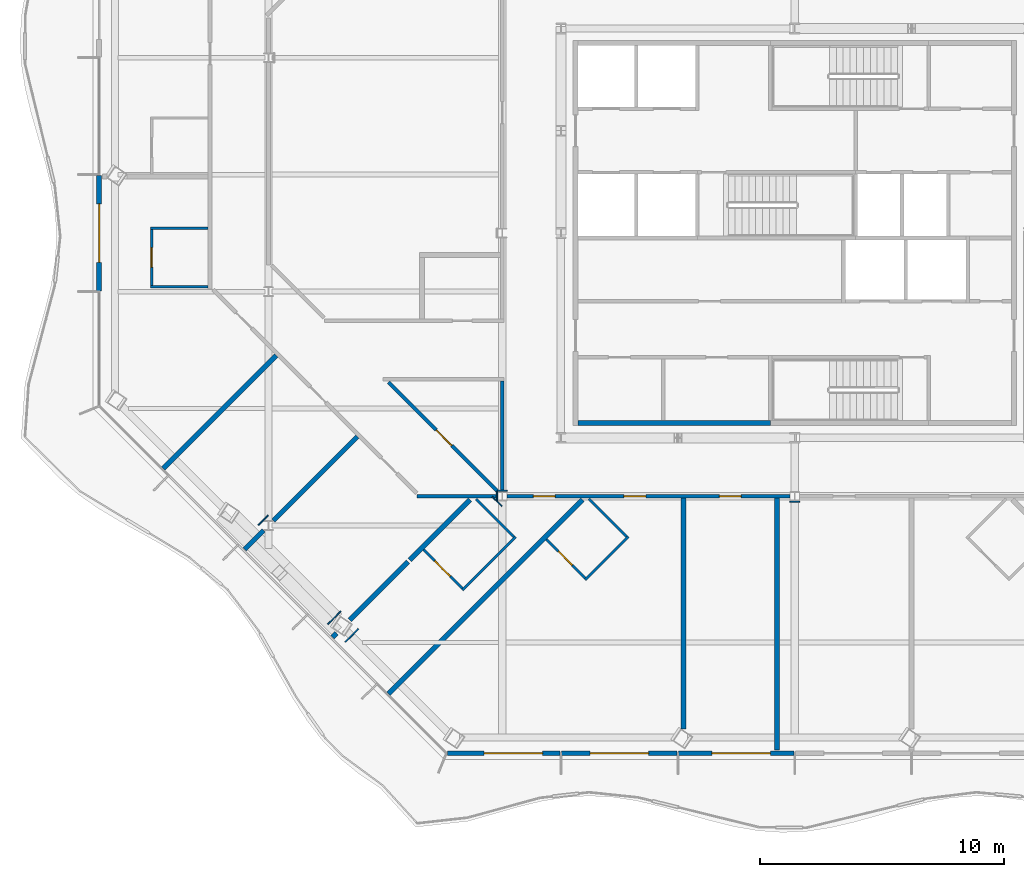
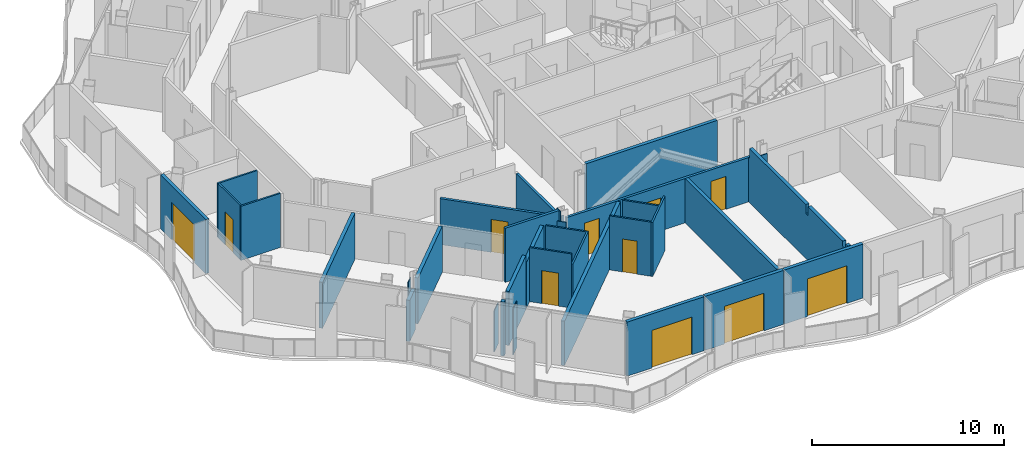
# One storey, part 7 of 21: 34 walls, 11 doors, 11 openings.
"""IFC4 building model written with IfcOpenShell, lengths in metres."""

import ifcopenshell
import ifcopenshell.guid

model = None  # the IFC model being written
_history = None  # IfcOwnerHistory: only IFC2X3 demands one
_inside = {}  # id of a spatial element -> (the spatial element, [elements in it])
_under = {}  # id of a project, library or spatial element -> (it, [spatial elements below it])
_declared = {}  # id of a project -> (the project, [libraries it declares])
_typed = {}  # id of a type object -> (the type object, [elements of that type])
_made_of = {}  # id of a material, layer set ... -> (it, [elements and type objects made of it])


def new_model(schema):
    """Start an empty IFC model of exactly this schema.

    Asked for "IFC4X3", IfcOpenShell would pick the latest addendum, in which some entities
    have other attributes; the version numbers below select the first issue.
    IFC2X3 requires an IfcOwnerHistory on every rooted entity: one is made here for all.
    """
    global model, _history
    if schema == "IFC4X3":
        model = ifcopenshell.file(schema_version=(4, 3, 0, 0))
    else:
        model = ifcopenshell.file(schema=schema)
    _inside.clear()
    _under.clear()
    _declared.clear()
    _typed.clear()
    _made_of.clear()
    _history = None
    if model.schema == "IFC2X3":
        org = make("IfcOrganization", Name="unknown")
        user = make(
            "IfcPersonAndOrganization",
            ThePerson=make("IfcPerson", FamilyName="unknown"),
            TheOrganization=org,
        )
        app = make(
            "IfcApplication",
            ApplicationDeveloper=org,
            Version="unknown",
            ApplicationFullName="unknown",
            ApplicationIdentifier="unknown",
        )
        _history = make(
            "IfcOwnerHistory",
            OwningUser=user,
            OwningApplication=app,
            ChangeAction="ADDED",
            CreationDate=0,
        )
    return model


def make(cls, **values):
    """One entity of the class cls with the attributes given. An attribute that is None is left unset."""
    return model.create_entity(
        cls, **{name: value for name, value in values.items() if value is not None}
    )


def rooted(cls, **values):
    """An entity with a GlobalId (a new one), such as an element, a storey or a relation."""
    return make(cls, GlobalId=ifcopenshell.guid.new(), OwnerHistory=_history, **values)


def si_unit(unit_type, name, prefix=None):
    """IfcSIUnit, for example si_unit("LENGTHUNIT", "METRE", prefix="MILLI")."""
    return make("IfcSIUnit", UnitType=unit_type, Prefix=prefix, Name=name)


def assignment(units):
    """IfcUnitAssignment: the units of a project."""
    return None if units is None else make("IfcUnitAssignment", Units=units)


def point(xyz):
    """IfcCartesianPoint."""
    return None if xyz is None else make("IfcCartesianPoint", Coordinates=xyz)


def direction(xyz):
    """IfcDirection."""
    return None if xyz is None else make("IfcDirection", DirectionRatios=xyz)


def frame(location, z_axis=None, x_axis=None):
    """IfcAxis2Placement3D, a coordinate frame: its origin and axes. An axis left out is left unset."""
    return make(
        "IfcAxis2Placement3D",
        Location=point(location),
        Axis=direction(z_axis),
        RefDirection=direction(x_axis),
    )


def frame_2d(location, x_axis=None):
    """IfcAxis2Placement2D, a coordinate frame in the plane: its origin and x axis."""
    return make(
        "IfcAxis2Placement2D", Location=point(location), RefDirection=direction(x_axis)
    )


def origin():
    """The frame at (0, 0, 0) with its axes left unset."""
    return frame((0.0, 0.0, 0.0))


def place(relative_to, where):
    """IfcLocalPlacement: puts the frame where relative to a parent placement (None: the world)."""
    return make(
        "IfcLocalPlacement", PlacementRelTo=relative_to, RelativePlacement=where
    )


def context(
    kind, dimensions, precision=None, world=None, true_north=None, identifier=None
):
    """IfcGeometricRepresentationContext, for example the 3D "Model" context."""
    return make(
        "IfcGeometricRepresentationContext",
        ContextIdentifier=identifier,
        ContextType=kind,
        CoordinateSpaceDimension=dimensions,
        Precision=precision,
        WorldCoordinateSystem=world,
        TrueNorth=true_north,
    )


def subcontext(parent, identifier, kind, view, scale=None):
    """IfcGeometricRepresentationSubContext, for example "Body" below "Model"."""
    return make(
        "IfcGeometricRepresentationSubContext",
        ContextIdentifier=identifier,
        ContextType=kind,
        ParentContext=parent,
        TargetScale=scale,
        TargetView=view,
    )


def project(units=None, contexts=None):
    """IfcProject with its units and contexts."""
    return rooted(
        "IfcProject",
        Name="project",
        RepresentationContexts=contexts,
        UnitsInContext=assignment(units),
    )


def spatial(cls, under=None, at=None, **own):
    """A site, building, storey or space (cls), placed at a placement, below another one or the project."""
    s = rooted(cls, ObjectPlacement=at, **own)
    if under is not None:
        _under.setdefault(under.id(), (under, []))[1].append(s)
    return s


def polyline(points):
    """IfcPolyline through the points."""
    return make("IfcPolyline", Points=[point(p) for p in points])


def profile(cls, at=None, kind="AREA", **sizes):
    """A parametric profile (cls). Its sizes go by their IFC names, for example OverallWidth=200.0."""
    return make(cls, ProfileType=kind, Position=at, **sizes)


def rectangle(**sizes):
    """IfcRectangleProfileDef."""
    return profile("IfcRectangleProfileDef", **sizes)


def outline(outer, holes=None, kind="AREA"):
    """IfcArbitraryClosedProfileDef: a profile drawn as a closed curve; with holes, ...WithVoids."""
    if holes is None:
        return make("IfcArbitraryClosedProfileDef", ProfileType=kind, OuterCurve=outer)
    return make(
        "IfcArbitraryProfileDefWithVoids",
        ProfileType=kind,
        OuterCurve=outer,
        InnerCurves=holes,
    )


def extrude(swept, where, along, depth):
    """IfcExtrudedAreaSolid: the profile swept, set in the frame where, extruded along a direction by depth."""
    return make(
        "IfcExtrudedAreaSolid",
        SweptArea=swept,
        Position=where,
        ExtrudedDirection=direction(along),
        Depth=depth,
    )


def shape(context_of_items, identifier, shape_type, items):
    """IfcShapeRepresentation: the items that make up one representation, for example the "Body"."""
    return make(
        "IfcShapeRepresentation",
        ContextOfItems=context_of_items,
        RepresentationIdentifier=identifier,
        RepresentationType=shape_type,
        Items=items,
    )


def material(Name=None, Category=None):
    """IfcMaterial."""
    return make("IfcMaterial", Name=Name, Category=Category)


def layer(
    of_material, thickness, ventilated=None, Name=None, Category=None, Priority=None
):
    """IfcMaterialLayer: one layer of a wall or slab, of a material (None: an air gap)."""
    return make(
        "IfcMaterialLayer",
        Material=of_material,
        LayerThickness=thickness,
        IsVentilated=ventilated,
        Name=Name,
        Category=Category,
        Priority=Priority,
    )


def layer_set(layers, Name=None):
    """IfcMaterialLayerSet."""
    return make("IfcMaterialLayerSet", MaterialLayers=layers, LayerSetName=Name)


def made_of(thing, what):
    """Note that an element or type object is made of a material, layer set ...; save() writes the relation."""
    if what is not None:
        _made_of.setdefault(what.id(), (what, []))[1].append(thing)
    return thing


def type_object(cls, material=None, **own):
    """A type object (cls), such as IfcWallType, which elements share."""
    return made_of(rooted(cls, **own), material)


def element(
    cls,
    number,
    at=None,
    inside=None,
    cuts=None,
    type_object=None,
    material=None,
    context=None,
    identifier="Body",
    shape_type=None,
    held_by="IfcProductDefinitionShape",
    body=None,
    shapes=None,
    **own,
):
    """One element of the class cls, such as IfcWall. Its Tag is "e" and its number.

    at: its placement. inside: the storey or other place that contains it. cuts: it is an
    opening in that element (IfcRelVoidsElement). A single representation is given by context,
    identifier, shape_type and body (its items); several are given by shapes. held_by: the class
    of the entity that holds the representations. save() writes the other relations.
    """
    e = rooted(cls, Tag="e%d" % number, ObjectPlacement=at, **own)
    if body is not None:
        shapes = [shape(context, identifier, shape_type, body)]
    if shapes is not None:
        e.Representation = make(held_by, Representations=shapes)
    if inside is not None:
        _inside.setdefault(inside.id(), (inside, []))[1].append(e)
    if cuts is not None:
        rooted(
            "IfcRelVoidsElement", RelatingBuildingElement=cuts, RelatedOpeningElement=e
        )
    if type_object is not None:
        _typed.setdefault(type_object.id(), (type_object, []))[1].append(e)
    return made_of(e, material)


def fill(opening, filler):
    """IfcRelFillsElement: the door or window that sits in an opening."""
    return rooted(
        "IfcRelFillsElement",
        RelatingOpeningElement=opening,
        RelatedBuildingElement=filler,
    )


def aggregate(whole, parts):
    """IfcRelAggregates: a whole, such as a stair, and the parts it consists of."""
    return rooted("IfcRelAggregates", RelatingObject=whole, RelatedObjects=parts)


def save(model, path):
    """Write the relations noted so far, then the file.

    IfcRelAggregates (storeys below a building ...), IfcRelContainedInSpatialStructure (elements
    in a storey), IfcRelDefinesByType, IfcRelAssociatesMaterial and IfcRelDeclares: one each for
    every whole, place, type object, material and project.
    """
    for whole, parts in _under.values():
        aggregate(whole, parts)
    for where, things in _inside.values():
        rooted(
            "IfcRelContainedInSpatialStructure",
            RelatedElements=things,
            RelatingStructure=where,
        )
    for kind, things in _typed.values():
        rooted("IfcRelDefinesByType", RelatedObjects=things, RelatingType=kind)
    for what, things in _made_of.values():
        rooted("IfcRelAssociatesMaterial", RelatedObjects=things, RelatingMaterial=what)
    for by, libraries in _declared.values():
        rooted("IfcRelDeclares", RelatingContext=by, RelatedDefinitions=libraries)
    model.write(path)


model = new_model("IFC4")

# Units and contexts
model_context = context("Model", 3, precision=1e-05, world=origin(), true_north=direction((0.0, 1.0)))
body_context = subcontext(model_context, "Body", "Model", "MODEL_VIEW")
ifc_project = project(units=[si_unit("LENGTHUNIT", "METRE"), si_unit("AREAUNIT", "SQUARE_METRE"), si_unit("VOLUMEUNIT", "CUBIC_METRE"), si_unit("PLANEANGLEUNIT", "RADIAN"), si_unit("MASSUNIT", "GRAM", prefix="KILO")], contexts=[model_context])

# Site, building, storey
site_placement = place(None, origin())
site = spatial("IfcSite", under=ifc_project, at=site_placement, CompositionType="ELEMENT")
building_placement = place(site_placement, origin())
building = spatial("IfcBuilding", under=site, at=building_placement, Name="Cairn Pilgrim Tower", CompositionType="ELEMENT")
storey_placement = place(building_placement, frame((0.0, 0.0, 172.199951171875)))
storey = spatial("IfcBuildingStorey", under=building, at=storey_placement, Name="L43", CompositionType="ELEMENT", Elevation=172.199951171875)

# Wall, opening, door
ifc_material_1 = material(Name="Bronze anodised aluminium insulated sandwich panel with mineral wool fill", Category="aluminium")
ifc_layer_1 = layer(ifc_material_1, 0.199951171875)
ifc_layer_set_1 = layer_set([ifc_layer_1], Name="BRONZE INFILL FRAME WALL 200")
wall_type_1 = type_object("IfcWallType", Name="BRONZE INFILL FRAME WALL 200", PredefinedType="NOTDEFINED", material=ifc_layer_set_1)
wall_1_placement = place(storey_placement, frame((-7.056396484375, -18.949951171875, 0.0), z_axis=(0.0, 0.0, 1.0), x_axis=(1.0, 0.0, 0.0)))
wall_1 = element("IfcWall", 1, at=wall_1_placement, inside=storey, type_object=wall_type_1, Name="Bronze infill frame wall IW-S1", PredefinedType="NOTDEFINED", context=body_context, shape_type="SweptSolid", body=[
    extrude(rectangle(XDim=4.62646484375, YDim=0.199951171875, at=frame_2d((2.313232421875, 0.0))), origin(), (0.0, 0.0, 1.0), 3.449951171875),
])
opening_1_placement = place(wall_1_placement, frame((1.508544921875, 0.0, 0.0)))
opening_1 = element("IfcOpeningElement", 2, at=opening_1_placement, cuts=wall_1, Name="Opening 4325B", PredefinedType="OPENING", context=body_context, shape_type="SweptSolid", body=[
    extrude(rectangle(XDim=2.39990234375, YDim=2.39990234375, at=frame_2d((1.199951171875, 1.199951171875))), frame((0.0, 0.10986328125, 0.0), z_axis=(0.0, -1.0, 0.0), x_axis=(1.0, 0.0, 0.0)), (0.0, 0.0, 1.0), 0.219970703125),
])
ifc_material_2 = material(Name="Bronze anodised aluminium frame with tinted low-E glass", Category="aluminium")
door_type_1 = type_object("IfcDoorType", Name="BALCONY SLIDING DOOR 2400x2400", OperationType="DOUBLE_DOOR_SLIDING", PredefinedType="DOOR", material=ifc_material_2)
door_1_placement = place(opening_1_placement, origin())
door_1 = element("IfcDoor", 3, at=door_1_placement, inside=storey, type_object=door_type_1, Name="Balcony sliding door 4325B", OperationType="SINGLE_SWING_LEFT", OverallHeight=2.39990234375, OverallWidth=2.39990234375, PredefinedType="DOOR", context=body_context, shape_type="SweptSolid", body=[
    extrude(rectangle(XDim=2.39990234375, YDim=2.39990234375, at=frame_2d((1.199951171875, 1.199951171875))), frame((0.0, 0.02490234375, 0.0), z_axis=(0.0, -1.0, 0.0), x_axis=(1.0, 0.0, 0.0)), (0.0, 0.0, 1.0), 0.050048828125),
])
fill(opening_1, door_1)

wall_2_placement = place(storey_placement, frame((-2.3701171875, -18.949951171875, 0.0), z_axis=(0.0, 0.0, 1.0), x_axis=(1.0, 0.0, 0.0)))
wall_2 = element("IfcWall", 4, at=wall_2_placement, inside=storey, type_object=wall_type_1, Name="Bronze infill frame wall IW-S2", PredefinedType="NOTDEFINED", context=body_context, shape_type="SweptSolid", body=[
    extrude(rectangle(XDim=4.740234375, YDim=0.199951171875, at=frame_2d((2.3701171875, 0.0))), origin(), (0.0, 0.0, 1.0), 3.449951171875),
])
opening_2_placement = place(wall_2_placement, frame((1.169921875, 0.0, 0.0)))
opening_2 = element("IfcOpeningElement", 5, at=opening_2_placement, cuts=wall_2, Name="Opening 4325B2", PredefinedType="OPENING", context=body_context, shape_type="SweptSolid", body=[
    extrude(rectangle(XDim=2.39990234375, YDim=2.39990234375, at=frame_2d((1.199951171875, 1.199951171875))), frame((0.0, 0.10986328125, 0.0), z_axis=(0.0, -1.0, 0.0), x_axis=(1.0, 0.0, 0.0)), (0.0, 0.0, 1.0), 0.219970703125),
])
door_2_placement = place(opening_2_placement, origin())
door_2 = element("IfcDoor", 6, at=door_2_placement, inside=storey, type_object=door_type_1, Name="Balcony sliding door 4325B2", OperationType="SINGLE_SWING_LEFT", OverallHeight=2.39990234375, OverallWidth=2.39990234375, PredefinedType="DOOR", context=body_context, shape_type="SweptSolid", body=[
    extrude(rectangle(XDim=2.39990234375, YDim=2.39990234375, at=frame_2d((1.199951171875, 1.199951171875))), frame((0.0, 0.02490234375, 0.0), z_axis=(0.0, -1.0, 0.0), x_axis=(1.0, 0.0, 0.0)), (0.0, 0.0, 1.0), 0.050048828125),
])
fill(opening_2, door_2)

wall_3_placement = place(storey_placement, frame((2.429931640625, -18.949951171875, 0.0), z_axis=(0.0, 0.0, 1.0), x_axis=(1.0, 0.0, 0.0)))
wall_3 = element("IfcWall", 7, at=wall_3_placement, inside=storey, type_object=wall_type_1, Name="Bronze infill frame wall IW-S3", PredefinedType="NOTDEFINED", context=body_context, shape_type="SweptSolid", body=[
    extrude(rectangle(XDim=4.739990234375, YDim=0.199951171875, at=frame_2d((2.3701171875, 0.0))), origin(), (0.0, 0.0, 1.0), 3.449951171875),
])
opening_3_placement = place(wall_3_placement, frame((1.369873046875, 0.0, 0.0)))
opening_3 = element("IfcOpeningElement", 8, at=opening_3_placement, cuts=wall_3, Name="Opening 4326B", PredefinedType="OPENING", context=body_context, shape_type="SweptSolid", body=[
    extrude(rectangle(XDim=2.39990234375, YDim=2.39990234375, at=frame_2d((1.199951171875, 1.199951171875))), frame((0.0, 0.10986328125, 0.0), z_axis=(0.0, -1.0, 0.0), x_axis=(1.0, 0.0, 0.0)), (0.0, 0.0, 1.0), 0.219970703125),
])
door_3_placement = place(opening_3_placement, origin())
door_3 = element("IfcDoor", 9, at=door_3_placement, inside=storey, type_object=door_type_1, Name="Balcony sliding door 4326B", OperationType="SINGLE_SWING_LEFT", OverallHeight=2.39990234375, OverallWidth=2.39990234375, PredefinedType="DOOR", context=body_context, shape_type="SweptSolid", body=[
    extrude(rectangle(XDim=2.39990234375, YDim=2.39990234375, at=frame_2d((1.199951171875, 1.199951171875))), frame((0.0, 0.02490234375, 0.0), z_axis=(0.0, -1.0, 0.0), x_axis=(1.0, 0.0, 0.0)), (0.0, 0.0, 1.0), 0.050048828125),
])
fill(opening_3, door_3)

wall_4_placement = place(storey_placement, frame((-21.35009765625, 4.77001953125, 0.0), z_axis=(0.0, 0.0, 1.0), x_axis=(0.0, -1.0, 0.0)))
wall_4 = element("IfcWall", 10, at=wall_4_placement, inside=storey, type_object=wall_type_1, Name="Bronze infill frame wall IW-W3", PredefinedType="NOTDEFINED", context=body_context, shape_type="SweptSolid", body=[
    extrude(rectangle(XDim=4.739990234375, YDim=0.199951171875, at=frame_2d((2.3701171875, 0.0))), origin(), (0.0, 0.0, 1.0), 3.449951171875),
])
opening_4_placement = place(wall_4_placement, frame((1.169921875, 0.0, 0.0)))
opening_4 = element("IfcOpeningElement", 11, at=opening_4_placement, cuts=wall_4, Name="Opening 4321B", PredefinedType="OPENING", context=body_context, shape_type="SweptSolid", body=[
    extrude(rectangle(XDim=2.39990234375, YDim=2.39990234375, at=frame_2d((1.199951171875, 1.199951171875))), frame((0.0, 0.10986328125, 0.0), z_axis=(0.0, -1.0, 0.0), x_axis=(1.0, 0.0, 0.0)), (0.0, 0.0, 1.0), 0.219970703125),
])
door_4_placement = place(opening_4_placement, origin())
door_4 = element("IfcDoor", 12, at=door_4_placement, inside=storey, type_object=door_type_1, Name="Balcony sliding door 4321B", OperationType="SINGLE_SWING_LEFT", OverallHeight=2.39990234375, OverallWidth=2.39990234375, PredefinedType="DOOR", context=body_context, shape_type="SweptSolid", body=[
    extrude(rectangle(XDim=2.39990234375, YDim=2.39990234375, at=frame_2d((1.199951171875, 1.199951171875))), frame((0.0, 0.02490234375, 0.0), z_axis=(0.0, -1.0, 0.0), x_axis=(1.0, 0.0, 0.0)), (0.0, 0.0, 1.0), 0.050048828125),
])
fill(opening_4, door_4)

# Walls
ifc_material_3 = material(Name="Concrete C32/40", Category="concrete")
ifc_layer_2 = layer(ifc_material_3, 0.199951171875)
ifc_layer_set_2 = layer_set([ifc_layer_2], Name="CORE OUTER WALL 200 EI 120")
wall_type_2 = type_object("IfcWallType", Name="CORE OUTER WALL 200 EI 120", PredefinedType="SOLIDWALL", material=ifc_layer_set_2)
wall_5_placement = place(storey_placement, frame((-1.699951171875, -5.39990234375, 0.0), z_axis=(0.0, 0.0, 1.0), x_axis=(1.0, 0.0, 0.0)))
element("IfcWall", 13, at=wall_5_placement, inside=storey, type_object=wall_type_2, Name="CW:L43:H01-1", PredefinedType="SOLIDWALL", context=body_context, shape_type="SweptSolid", body=[
    extrude(rectangle(XDim=7.89990234375, YDim=0.199951171875, at=frame_2d((3.949951171875, 0.0))), origin(), (0.0, 0.0, 1.0), 3.449951171875),
])
ifc_material_4 = material(Name="Gypsum partition")
ifc_layer_3 = layer(ifc_material_4, 0.10009765625)
ifc_layer_set_3 = layer_set([ifc_layer_3], Name="PARTITION 100 DRYWALL")
wall_type_3 = type_object("IfcWallType", Name="PARTITION 100 DRYWALL", PredefinedType="PARTITIONING", material=ifc_layer_set_3)
wall_6_placement = place(storey_placement, frame((-6.447509765625, -12.25341796875, 0.0), z_axis=(0.0, 0.0, 1.0), x_axis=(0.707146162255, 0.707067397924, 0.0)))
element("IfcWall", 14, at=wall_6_placement, inside=storey, type_object=wall_type_3, Name="PARTITION W010", PredefinedType="PARTITIONING", context=body_context, shape_type="SweptSolid", body=[
    extrude(rectangle(XDim=3.099609375, YDim=0.10009765625, at=frame_2d((1.5498046875, 0.0))), origin(), (0.0, 0.0, 1.0), 2.830078125),
])

# Wall, opening, door
wall_7_placement = place(storey_placement, frame((-6.447509765625, -12.1826171875, 0.0), z_axis=(0.0, 0.0, 1.0), x_axis=(-0.707323718364, 0.706889777433, 0.0)))
wall_7 = element("IfcWall", 15, at=wall_7_placement, inside=storey, type_object=wall_type_3, Name="PARTITION W011", PredefinedType="PARTITIONING", context=body_context, shape_type="SweptSolid", body=[
    extrude(rectangle(XDim=2.25048828125, YDim=0.10009765625, at=frame_2d((1.125244140625, 0.0))), origin(), (0.0, 0.0, 1.0), 3.449951171875),
])
opening_5_placement = place(wall_7_placement, frame((0.70068359375, 0.0, 0.0)))
opening_5 = element("IfcOpeningElement", 16, at=opening_5_placement, cuts=wall_7, Name="Opening 4324A", PredefinedType="OPENING", context=body_context, shape_type="SweptSolid", body=[
    extrude(rectangle(XDim=0.89990234375, YDim=2.10009765625, at=frame_2d((0.449951171875, 1.050048828125))), frame((0.0, 0.06005859375, 0.0), z_axis=(0.0, -1.0, 0.0), x_axis=(1.0, 0.0, 0.0)), (0.0, 0.0, 1.0), 0.1201171875),
])
ifc_material_5 = material(Name="Timber door leaf", Category="wood")
door_type_2 = type_object("IfcDoorType", Name="WC DOOR 900x2100", OperationType="NOTDEFINED", PredefinedType="DOOR", material=ifc_material_5)
door_5_placement = place(opening_5_placement, origin())
door_5 = element("IfcDoor", 17, at=door_5_placement, inside=storey, type_object=door_type_2, Name="DOOR 4324A", OperationType="SINGLE_SWING_RIGHT", OverallHeight=2.10009765625, OverallWidth=0.89990234375, PredefinedType="DOOR", context=body_context, shape_type="SweptSolid", body=[
    extrude(rectangle(XDim=0.89990234375, YDim=2.10009765625, at=frame_2d((0.449951171875, 1.050048828125))), frame((0.0, 0.02490234375, 0.0), z_axis=(0.0, -1.0, 0.0), x_axis=(1.0, 0.0, 0.0)), (0.0, 0.0, 1.0), 0.050048828125),
])
fill(opening_5, door_5)

wall_8_placement = place(storey_placement, frame((-1.3994140625, -11.758544921875, 0.0), z_axis=(0.0, 0.0, 1.0), x_axis=(-0.707106781187, 0.707106781187, 0.0)))
wall_8 = element("IfcWall", 18, at=wall_8_placement, inside=storey, type_object=wall_type_3, Name="PARTITION W012", PredefinedType="PARTITIONING", context=body_context, shape_type="SweptSolid", body=[
    extrude(rectangle(XDim=2.249755859375, YDim=0.10009765625, at=frame_2d((1.125, 0.0))), origin(), (0.0, 0.0, 1.0), 3.449951171875),
])
opening_6_placement = place(wall_8_placement, frame((0.75, 0.0, 0.0)))
opening_6 = element("IfcOpeningElement", 19, at=opening_6_placement, cuts=wall_8, Name="Opening 4325A", PredefinedType="OPENING", context=body_context, shape_type="SweptSolid", body=[
    extrude(rectangle(XDim=0.800048828125, YDim=2.10009765625, at=frame_2d((0.39990234375, 1.050048828125))), frame((0.0, 0.06005859375, 0.0), z_axis=(0.0, -1.0, 0.0), x_axis=(1.0, 0.0, 0.0)), (0.0, 0.0, 1.0), 0.1201171875),
])
door_type_3 = type_object("IfcDoorType", Name="WC DOOR 800x2100", OperationType="NOTDEFINED", PredefinedType="DOOR", material=ifc_material_5)
door_6_placement = place(opening_6_placement, origin())
door_6 = element("IfcDoor", 20, at=door_6_placement, inside=storey, type_object=door_type_3, Name="DOOR 4325A", OperationType="SINGLE_SWING_RIGHT", OverallHeight=2.10009765625, OverallWidth=0.800048828125, PredefinedType="DOOR", context=body_context, shape_type="SweptSolid", body=[
    extrude(rectangle(XDim=0.800048828125, YDim=2.10009765625, at=frame_2d((0.39990234375, 1.050048828125))), frame((0.0, 0.02490234375, 0.0), z_axis=(0.0, -1.0, 0.0), x_axis=(1.0, 0.0, 0.0)), (0.0, 0.0, 1.0), 0.050048828125),
])
fill(opening_6, door_6)

# Walls
wall_9_placement = place(storey_placement, frame((-1.3994140625, -11.829345703125, 0.0), z_axis=(0.0, 0.0, 1.0), x_axis=(0.707155609469, 0.707057949532, 0.0)))
element("IfcWall", 21, at=wall_9_placement, inside=storey, type_object=wall_type_3, Name="PARTITION W013", PredefinedType="PARTITIONING", context=body_context, shape_type="SweptSolid", body=[
    extrude(rectangle(XDim=2.5, YDim=0.10009765625, at=frame_2d((1.25, 0.0))), origin(), (0.0, 0.0, 1.0), 3.449951171875),
])
for number, where, z_axis, x_axis, name in (
    (22, (-4.326416015625, -10.0615234375, 0.0), (0.0, 0.0, 1.0), (-0.707106781187, 0.707106781187, 0.0), "PARTITION W021"),
    (23, (0.297607421875, -10.0615234375, 0.0), (0.0, 0.0, 1.0), (-0.707106781187, 0.707106781187, 0.0), "PARTITION W022"),
):
    element("IfcWall", number, at=place(storey_placement, frame(where, z_axis=z_axis, x_axis=x_axis)), inside=storey, type_object=wall_type_3, Name=name, PredefinedType="PARTITIONING", context=body_context, shape_type="SweptSolid", body=[
        extrude(rectangle(XDim=2.19384765625, YDim=0.10009765625, at=frame_2d((1.096923828125, 0.0))), origin(), (0.0, 0.0, 1.0), 2.830078125),
    ])
wall_10_placement = place(storey_placement, frame((-19.25, 0.2060546875, 0.0), z_axis=(0.0, 0.0, 1.0), x_axis=(1.0, 0.0, 0.0)))
element("IfcWall", 24, at=wall_10_placement, inside=storey, type_object=wall_type_3, Name="PARTITION W052", PredefinedType="PARTITIONING", context=body_context, shape_type="SweptSolid", body=[
    extrude(rectangle(XDim=2.375, YDim=0.10009765625, at=frame_2d((1.1875, 0.0))), origin(), (0.0, 0.0, 1.0), 3.449951171875),
])

# Wall, opening, door
wall_11_placement = place(storey_placement, frame((-19.199951171875, 0.256103515625, 0.0), z_axis=(0.0, 0.0, 1.0), x_axis=(0.0, 1.0, 0.0)))
wall_11 = element("IfcWall", 25, at=wall_11_placement, inside=storey, type_object=wall_type_3, Name="PARTITION W053", PredefinedType="PARTITIONING", context=body_context, shape_type="SweptSolid", body=[
    extrude(rectangle(XDim=2.2998046875, YDim=0.10009765625, at=frame_2d((1.14990234375, 0.0))), origin(), (0.0, 0.0, 1.0), 3.449951171875),
])
opening_7_placement = place(wall_11_placement, frame((0.75, 0.0, 0.0)))
opening_7 = element("IfcOpeningElement", 26, at=opening_7_placement, cuts=wall_11, Name="Opening 4321A", PredefinedType="OPENING", context=body_context, shape_type="SweptSolid", body=[
    extrude(rectangle(XDim=0.800048828125, YDim=2.10009765625, at=frame_2d((0.39990234375, 1.050048828125))), frame((0.0, 0.06005859375, 0.0), z_axis=(0.0, -1.0, 0.0), x_axis=(1.0, 0.0, 0.0)), (0.0, 0.0, 1.0), 0.1201171875),
])
door_7_placement = place(opening_7_placement, origin())
door_7 = element("IfcDoor", 27, at=door_7_placement, inside=storey, type_object=door_type_3, Name="DOOR 4321A", OperationType="SINGLE_SWING_RIGHT", OverallHeight=2.10009765625, OverallWidth=0.800048828125, PredefinedType="DOOR", context=body_context, shape_type="SweptSolid", body=[
    extrude(rectangle(XDim=0.800048828125, YDim=2.10009765625, at=frame_2d((0.39990234375, 1.050048828125))), frame((0.0, 0.02490234375, 0.0), z_axis=(0.0, -1.0, 0.0), x_axis=(1.0, 0.0, 0.0)), (0.0, 0.0, 1.0), 0.050048828125),
])
fill(opening_7, door_7)

# Walls
wall_12_placement = place(storey_placement, frame((-19.25, 2.60595703125, 0.0), z_axis=(0.0, 0.0, 1.0), x_axis=(1.0, 0.0, 0.0)))
element("IfcWall", 28, at=wall_12_placement, inside=storey, type_object=wall_type_3, Name="PARTITION W060", PredefinedType="PARTITIONING", context=body_context, shape_type="SweptSolid", body=[
    extrude(rectangle(XDim=2.375, YDim=0.10009765625, at=frame_2d((1.1875, 0.0))), origin(), (0.0, 0.0, 1.0), 3.449951171875),
])
ifc_layer_4 = layer(ifc_material_4, 0.14990234375)
ifc_layer_set_4 = layer_set([ifc_layer_4], Name="PARTITION 150 DRYWALL EI 60")
wall_type_4 = type_object("IfcWallType", Name="PARTITION 150 DRYWALL EI 60", PredefinedType="PARTITIONING", material=ifc_layer_set_4)
wall_13_placement = place(storey_placement, frame((-8.300048828125, -8.39990234375, 0.0), z_axis=(0.0, 0.0, 1.0), x_axis=(1.0, 0.0, 0.0)))
element("IfcWall", 29, at=wall_13_placement, inside=storey, type_object=wall_type_4, Name="PARTITION W029", PredefinedType="PARTITIONING", context=body_context, shape_type="SweptSolid", body=[
    extrude(rectangle(XDim=3.300537109375, YDim=0.14990234375, at=frame_2d((1.650390625, 0.0))), origin(), (0.0, 0.0, 1.0), 3.449951171875),
])

# Wall, openings, doors
wall_14_placement = place(storey_placement, frame((-4.6005859375, -8.39990234375, 0.0), z_axis=(0.0, 0.0, 1.0), x_axis=(1.0, 0.0, 0.0)))
wall_14 = element("IfcWall", 30, at=wall_14_placement, inside=storey, type_object=wall_type_4, Name="PARTITION W030", PredefinedType="PARTITIONING", context=body_context, shape_type="SweptSolid", body=[
    extrude(rectangle(XDim=11.60107421875, YDim=0.14990234375, at=frame_2d((5.800537109375, 0.0))), origin(), (0.0, 0.0, 1.0), 2.830078125),
])
opening_8_placement = place(wall_14_placement, frame((1.068359375, 0.0, 0.0)))
opening_8 = element("IfcOpeningElement", 31, at=opening_8_placement, cuts=wall_14, Name="Opening 4324", PredefinedType="OPENING", context=body_context, shape_type="SweptSolid", body=[
    extrude(rectangle(XDim=0.89990234375, YDim=2.10009765625, at=frame_2d((0.449951171875, 1.050048828125))), frame((0.0, 0.0849609375, 0.0), z_axis=(0.0, -1.0, 0.0), x_axis=(1.0, 0.0, 0.0)), (0.0, 0.0, 1.0), 0.169921875),
])
opening_9_placement = place(wall_14_placement, frame((4.787353515625, 0.0, 0.0)))
opening_9 = element("IfcOpeningElement", 32, at=opening_9_placement, cuts=wall_14, Name="Opening 4325", PredefinedType="OPENING", context=body_context, shape_type="SweptSolid", body=[
    extrude(rectangle(XDim=0.89990234375, YDim=2.10009765625, at=frame_2d((0.449951171875, 1.050048828125))), frame((0.0, 0.0849609375, 0.0), z_axis=(0.0, -1.0, 0.0), x_axis=(1.0, 0.0, 0.0)), (0.0, 0.0, 1.0), 0.169921875),
])
opening_10_placement = place(wall_14_placement, frame((8.704345703125, 0.0, 0.0)))
opening_10 = element("IfcOpeningElement", 33, at=opening_10_placement, cuts=wall_14, Name="Opening 4326", PredefinedType="OPENING", context=body_context, shape_type="SweptSolid", body=[
    extrude(rectangle(XDim=0.89990234375, YDim=2.10009765625, at=frame_2d((0.449951171875, 1.050048828125))), frame((0.0, 0.0849609375, 0.0), z_axis=(0.0, -1.0, 0.0), x_axis=(1.0, 0.0, 0.0)), (0.0, 0.0, 1.0), 0.169921875),
])
door_type_4 = type_object("IfcDoorType", Name="ROOM DOOR 900x2100 FD30S", OperationType="NOTDEFINED", PredefinedType="DOOR", material=ifc_material_5)
door_8_placement = place(opening_8_placement, frame((0.89990234375, 0.0, 0.0), z_axis=(0.0, 0.0, 1.0), x_axis=(-1.0, 0.0, 0.0)))
door_8 = element("IfcDoor", 34, at=door_8_placement, inside=storey, type_object=door_type_4, Name="DOOR 4324", OperationType="SINGLE_SWING_RIGHT", OverallHeight=2.10009765625, OverallWidth=0.89990234375, PredefinedType="DOOR", context=body_context, shape_type="SweptSolid", body=[
    extrude(rectangle(XDim=0.89990234375, YDim=2.10009765625, at=frame_2d((0.449951171875, 1.050048828125))), frame((0.0, 0.02490234375, 0.0), z_axis=(0.0, -1.0, 0.0), x_axis=(1.0, 0.0, 0.0)), (0.0, 0.0, 1.0), 0.050048828125),
])
fill(opening_8, door_8)
door_9_placement = place(opening_9_placement, frame((0.89990234375, 0.0, 0.0), z_axis=(0.0, 0.0, 1.0), x_axis=(-1.0, 0.0, 0.0)))
door_9 = element("IfcDoor", 35, at=door_9_placement, inside=storey, type_object=door_type_4, Name="DOOR 4325", OperationType="SINGLE_SWING_RIGHT", OverallHeight=2.10009765625, OverallWidth=0.89990234375, PredefinedType="DOOR", context=body_context, shape_type="SweptSolid", body=[
    extrude(rectangle(XDim=0.89990234375, YDim=2.10009765625, at=frame_2d((0.449951171875, 1.050048828125))), frame((0.0, 0.02490234375, 0.0), z_axis=(0.0, -1.0, 0.0), x_axis=(1.0, 0.0, 0.0)), (0.0, 0.0, 1.0), 0.050048828125),
])
fill(opening_9, door_9)
door_10_placement = place(opening_10_placement, frame((0.89990234375, 0.0, 0.0), z_axis=(0.0, 0.0, 1.0), x_axis=(-1.0, 0.0, 0.0)))
door_10 = element("IfcDoor", 36, at=door_10_placement, inside=storey, type_object=door_type_4, Name="DOOR 4326", OperationType="SINGLE_SWING_RIGHT", OverallHeight=2.10009765625, OverallWidth=0.89990234375, PredefinedType="DOOR", context=body_context, shape_type="SweptSolid", body=[
    extrude(rectangle(XDim=0.89990234375, YDim=2.10009765625, at=frame_2d((0.449951171875, 1.050048828125))), frame((0.0, 0.02490234375, 0.0), z_axis=(0.0, -1.0, 0.0), x_axis=(1.0, 0.0, 0.0)), (0.0, 0.0, 1.0), 0.050048828125),
])
fill(opening_10, door_10)

# Wall, opening, door
wall_15_placement = place(storey_placement, frame((-4.998046875, -8.201904296875, 0.0), z_axis=(0.0, 0.0, 1.0), x_axis=(-0.707106781187, 0.707106781187, 0.0)))
wall_15 = element("IfcWall", 37, at=wall_15_placement, inside=storey, type_object=wall_type_4, Name="PARTITION W035", PredefinedType="PARTITIONING", context=body_context, shape_type="SweptSolid", body=[
    extrude(rectangle(XDim=6.326904296875, YDim=0.14990234375, at=frame_2d((3.16357421875, 0.0))), origin(), (0.0, 0.0, 1.0), 2.929931640625),
])
opening_11_placement = place(wall_15_placement, frame((2.664306640625, 0.0, 0.0)))
opening_11 = element("IfcOpeningElement", 38, at=opening_11_placement, cuts=wall_15, Name="Opening 4338", PredefinedType="OPENING", context=body_context, shape_type="SweptSolid", body=[
    extrude(rectangle(XDim=0.89990234375, YDim=2.10009765625, at=frame_2d((0.449951171875, 1.050048828125))), frame((0.0, 0.0849609375, 0.0), z_axis=(0.0, -1.0, 0.0), x_axis=(1.0, 0.0, 0.0)), (0.0, 0.0, 1.0), 0.169921875),
])
door_type_5 = type_object("IfcDoorType", Name="SERVICE DOOR 900x2100 FD30S", OperationType="NOTDEFINED", PredefinedType="DOOR", material=ifc_material_5)
door_11_placement = place(opening_11_placement, frame((0.89990234375, 0.0, 0.0), z_axis=(0.0, 0.0, 1.0), x_axis=(-1.0, 0.0, 0.0)))
door_11 = element("IfcDoor", 39, at=door_11_placement, inside=storey, type_object=door_type_5, Name="DOOR 4338", OperationType="SINGLE_SWING_LEFT", OverallHeight=2.10009765625, OverallWidth=0.89990234375, PredefinedType="DOOR", context=body_context, shape_type="SweptSolid", body=[
    extrude(rectangle(XDim=0.89990234375, YDim=2.10009765625, at=frame_2d((0.449951171875, 1.050048828125))), frame((0.0, 0.02490234375, 0.0), z_axis=(0.0, -1.0, 0.0), x_axis=(1.0, 0.0, 0.0)), (0.0, 0.0, 1.0), 0.050048828125),
])
fill(opening_11, door_11)

# Walls
wall_16_placement = place(storey_placement, frame((-4.800048828125, -8.20361328125, 0.0), z_axis=(0.0, 0.0, 1.0), x_axis=(0.0, 1.0, 0.0)))
element("IfcWall", 40, at=wall_16_placement, inside=storey, type_object=wall_type_4, Name="PARTITION W036", PredefinedType="PARTITIONING", context=body_context, shape_type="SweptSolid", body=[
    extrude(rectangle(XDim=4.528564453125, YDim=0.14990234375, at=frame_2d((2.26416015625, 0.0))), origin(), (0.0, 0.0, 1.0), 2.830078125),
])
ifc_layer_5 = layer(ifc_material_4, 0.050048828125)
ifc_layer_set_5 = layer_set([ifc_layer_5], Name="PARTITION 50 DRYWALL EI 60")
wall_type_5 = type_object("IfcWallType", Name="PARTITION 50 DRYWALL EI 60", PredefinedType="PARTITIONING", material=ifc_layer_set_5)
wall_17_placement = place(storey_placement, frame((-11.968994140625, -13.65771484375, 0.0), z_axis=(0.0, 0.0, 1.0), x_axis=(0.706946020301, 0.707267505531, 0.0)))
element("IfcWall", 41, at=wall_17_placement, inside=storey, type_object=wall_type_5, Name="COLUMN CASING WC01", PredefinedType="PARTITIONING", context=body_context, shape_type="SweptSolid", body=[
    extrude(rectangle(XDim=0.759521484375, YDim=0.050048828125, at=frame_2d((0.3798828125, 0.0))), origin(), (0.0, 0.0, 1.0), 2.630126953125),
])
wall_18_placement = place(storey_placement, frame((-11.245849609375, -14.380615234375, 0.0), z_axis=(0.0, 0.0, 1.0), x_axis=(0.707106781187, 0.707106781187, 0.0)))
element("IfcWall", 42, at=wall_18_placement, inside=storey, type_object=wall_type_5, Name="COLUMN CASING WC02", PredefinedType="PARTITIONING", context=body_context, shape_type="SweptSolid", body=[
    extrude(rectangle(XDim=0.75927734375, YDim=0.050048828125, at=frame_2d((0.379638671875, 0.0))), origin(), (0.0, 0.0, 1.0), 2.929931640625),
])
wall_19_placement = place(storey_placement, frame((-14.813720703125, -9.582275390625, 0.0), z_axis=(0.0, 0.0, 1.0), x_axis=(0.707106781187, 0.707106781187, 0.0)))
element("IfcWall", 43, at=wall_19_placement, inside=storey, type_object=wall_type_5, Name="COLUMN CASING WC04", PredefinedType="PARTITIONING", context=body_context, shape_type="SweptSolid", body=[
    extrude(rectangle(XDim=0.56005859375, YDim=0.050048828125, at=frame_2d((0.280029296875, 0.0))), origin(), (0.0, 0.0, 1.0), 2.929931640625),
])
for number, where, z_axis, x_axis, name in (
    (44, (-4.99951171875, -8.178466796875, 0.0), (0.0, 0.0, 1.0), (1.0, 0.0, 0.0), "COLUMN CASING WC06"),
    (45, (7.00048828125, -8.62158203125, 0.0), (0.0, 0.0, 1.0), (1.0, 0.0, 0.0), "COLUMN CASING WC07"),
):
    element("IfcWall", number, at=place(storey_placement, frame(where, z_axis=z_axis, x_axis=x_axis)), inside=storey, type_object=wall_type_5, Name=name, PredefinedType="PARTITIONING", context=body_context, shape_type="SweptSolid", body=[
        extrude(rectangle(XDim=0.39892578125, YDim=0.050048828125, at=frame_2d((0.199462890625, 0.0))), origin(), (0.0, 0.0, 1.0), 2.830078125),
    ])
wall_20_placement = place(storey_placement, frame((-4.817626953125, -8.813720703125, 0.0), z_axis=(0.0, 0.0, 1.0), x_axis=(-0.707106781187, 0.707106781187, 0.0)))
element("IfcWall", 46, at=wall_20_placement, inside=storey, type_object=wall_type_5, Name="COLUMN CASING WC09", PredefinedType="PARTITIONING", context=body_context, shape_type="SweptSolid", body=[
    extrude(rectangle(XDim=0.56005859375, YDim=0.050048828125, at=frame_2d((0.280029296875, 0.0))), origin(), (0.0, 0.0, 1.0), 2.830078125),
])
wall_21_placement = place(storey_placement, frame((-5.0244140625, -8.596435546875, 0.0), z_axis=(0.0, 0.0, 1.0), x_axis=(0.0, 1.0, 0.0)))
element("IfcWall", 47, at=wall_21_placement, inside=storey, type_object=wall_type_5, Name="COLUMN CASING WC10", PredefinedType="PARTITIONING", context=body_context, shape_type="SweptSolid", body=[
    extrude(rectangle(XDim=0.392822265625, YDim=0.050048828125, at=frame_2d((0.1962890625, 0.0))), origin(), (0.0, 0.0, 1.0), 3.449951171875),
])
ifc_layer_6 = layer(ifc_material_4, 0.199951171875)
ifc_layer_set_6 = layer_set([ifc_layer_6], Name="SHAFT WALL 200 GYPSUM EI 60")
wall_type_6 = type_object("IfcWallType", Name="SHAFT WALL 200 GYPSUM EI 60", PredefinedType="PARTITIONING", material=ifc_layer_set_6)
wall_22_placement = place(storey_placement, frame((6.470947265625, -18.820068359375, 0.0), z_axis=(0.0, 0.0, 1.0), x_axis=(0.0, 1.0, 0.0)))
element("IfcWall", 48, at=wall_22_placement, inside=storey, type_object=wall_type_6, Name="PARTITION W002", PredefinedType="PARTITIONING", context=body_context, shape_type="SweptSolid", body=[
    extrude(outline(polyline([(0.0, 0.0), (10.344970703125, 0.0), (10.344970703125, 2.830078125), (10.27001953125, 2.830078125), (10.26806640625, 3.449951171875), (4.375, 3.449951171875), (4.373046875, 2.880126953125), (4.1650390625, 2.880126953125), (4.1630859375, 3.449951171875), (0.52001953125, 3.449951171875), (0.51806640625, 2.929931640625), (0.219970703125, 2.929931640625), (0.218017578125, 3.449951171875), (0.0, 3.449951171875), (0.0, 0.0)])), frame((0.0, 0.10009765625, 0.0), z_axis=(0.0, -1.0, 0.0), x_axis=(1.0, 0.0, 0.0)), (0.0, 0.0, 1.0), 0.199951171875),
])
wall_23_placement = place(storey_placement, frame((2.636962890625, -18.033447265625, 0.0), z_axis=(0.0, 0.0, 1.0), x_axis=(0.0, 1.0, 0.0)))
element("IfcWall", 49, at=wall_23_placement, inside=storey, type_object=wall_type_6, Name="PARTITION W003", PredefinedType="PARTITIONING", context=body_context, shape_type="SweptSolid", body=[
    extrude(outline(polyline([(0.085693359375, 0.0), (9.55859375, 0.0), (9.55859375, 0.862548828125), (9.55859375, 1.72509765625), (9.55859375, 2.587646484375), (9.55859375, 2.830078125), (0.02587890625, 2.830078125), (0.035888671875, 2.587646484375), (0.072021484375, 1.72509765625), (0.085693359375, 0.862548828125), (0.085693359375, 0.0)])), frame((0.0, 0.10009765625, 0.0), z_axis=(0.0, -1.0, 0.0), x_axis=(1.0, 0.0, 0.0)), (0.0, 0.0, 1.0), 0.199951171875),
])
wall_24_placement = place(storey_placement, frame((-9.471923828125, -16.508056640625, 0.0), z_axis=(0.0, 0.0, 1.0), x_axis=(0.707095940397, 0.70711762181, 0.0)))
element("IfcWall", 50, at=wall_24_placement, inside=storey, type_object=wall_type_6, Name="PARTITION W005", PredefinedType="PARTITIONING", context=body_context, shape_type="SweptSolid", body=[
    extrude(rectangle(XDim=11.26025390625, YDim=0.199951171875, at=frame_2d((5.630126953125, 0.0))), origin(), (0.0, 0.0, 1.0), 2.830078125),
])
wall_25_placement = place(storey_placement, frame((-11.77490234375, -14.186767578125, 0.0), z_axis=(0.0, 0.0, 1.0), x_axis=(0.707106781187, 0.707106781187, 0.0)))
element("IfcWall", 51, at=wall_25_placement, inside=storey, type_object=wall_type_6, Name="PARTITION W007", PredefinedType="PARTITIONING", context=body_context, shape_type="SweptSolid", body=[
    extrude(rectangle(XDim=0.23681640625, YDim=0.199951171875, at=frame_2d((0.118408203125, 0.0))), origin(), (0.0, 0.0, 1.0), 3.449951171875),
])
wall_26_placement = place(storey_placement, frame((-11.070556640625, -13.482421875, 0.0), z_axis=(0.0, 0.0, 1.0), x_axis=(0.707034704659, 0.707178850368, 0.0)))
element("IfcWall", 52, at=wall_26_placement, inside=storey, type_object=wall_type_6, Name="PARTITION W008", PredefinedType="PARTITIONING", context=body_context, shape_type="SweptSolid", body=[
    extrude(rectangle(XDim=3.387451171875, YDim=0.199951171875, at=frame_2d((1.69384765625, 0.0))), origin(), (0.0, 0.0, 1.0), 3.449951171875),
])
wall_27_placement = place(storey_placement, frame((-8.60498046875, -11.015869140625, 0.0), z_axis=(0.0, 0.0, 1.0), x_axis=(0.707246511798, 0.706967022957, 0.0)))
element("IfcWall", 53, at=wall_27_placement, inside=storey, type_object=wall_type_6, Name="PARTITION W019", PredefinedType="PARTITIONING", context=body_context, shape_type="SweptSolid", body=[
    extrude(rectangle(XDim=3.494140625, YDim=0.199951171875, at=frame_2d((1.7470703125, 0.0))), origin(), (0.0, 0.0, 1.0), 2.929931640625),
])
wall_28_placement = place(storey_placement, frame((-15.380859375, -10.580810546875, 0.0), z_axis=(0.0, 0.0, 1.0), x_axis=(0.707217034054, 0.706996511125, 0.0)))
element("IfcWall", 54, at=wall_28_placement, inside=storey, type_object=wall_type_6, Name="PARTITION W020", PredefinedType="PARTITIONING", context=body_context, shape_type="SweptSolid", body=[
    extrude(rectangle(XDim=1.107177734375, YDim=0.199951171875, at=frame_2d((0.5537109375, 0.0))), origin(), (0.0, 0.0, 1.0), 2.630126953125),
])
wall_29_placement = place(storey_placement, frame((-14.201904296875, -9.402099609375, 0.0), z_axis=(0.0, 0.0, 1.0), x_axis=(0.707081776084, 0.707131785404, 0.0)))
element("IfcWall", 55, at=wall_29_placement, inside=storey, type_object=wall_type_6, Name="PARTITION W027", PredefinedType="PARTITIONING", context=body_context, shape_type="SweptSolid", body=[
    extrude(rectangle(XDim=4.8818359375, YDim=0.199951171875, at=frame_2d((2.44091796875, 0.0))), origin(), (0.0, 0.0, 1.0), 2.929931640625),
])
wall_30_placement = place(storey_placement, frame((-18.719970703125, -7.260009765625, 0.0), z_axis=(0.0, 0.0, 1.0), x_axis=(0.706939337177, 0.707274185555, 0.0)))
element("IfcWall", 56, at=wall_30_placement, inside=storey, type_object=wall_type_6, Name="PARTITION W039", PredefinedType="PARTITIONING", context=body_context, shape_type="SweptSolid", body=[
    extrude(rectangle(XDim=6.56201171875, YDim=0.199951171875, at=frame_2d((3.281005859375, 0.0))), origin(), (0.0, 0.0, 1.0), 2.929931640625),
])

save(model, "model.ifc")
